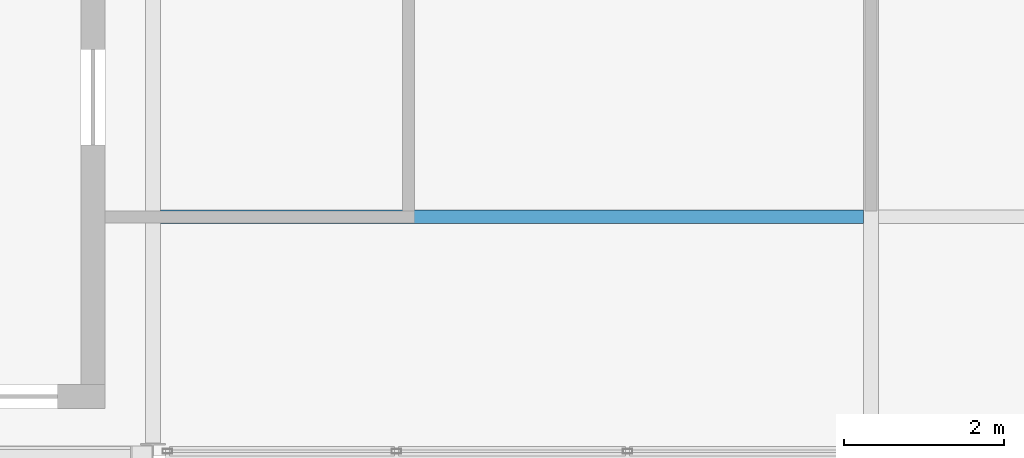
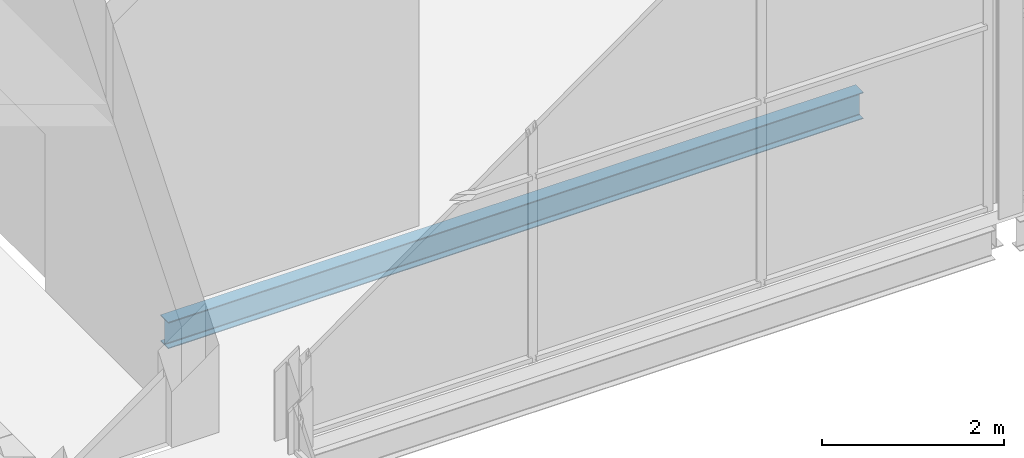
# One storey, part 41 of 111: 1 beam.
"""IFC4 building model written with IfcOpenShell, lengths in metres."""

from ifc_helpers import new_model, si_unit, direction, frame, origin, origin_2d, place, context, subcontext, project, spatial, i_section, extrude, material, material_profile, profile_set, type_object, element, save


model = new_model("IFC4")

# Units and contexts
model_context = context("Model", 3, precision=1e-05, world=origin(), true_north=direction((0.0, 1.0)))
body_context = subcontext(model_context, "Body", "Model", "MODEL_VIEW")
ifc_project = project(units=[si_unit("LENGTHUNIT", "METRE"), si_unit("AREAUNIT", "SQUARE_METRE"), si_unit("VOLUMEUNIT", "CUBIC_METRE"), si_unit("PLANEANGLEUNIT", "RADIAN"), si_unit("MASSUNIT", "GRAM", prefix="KILO")], contexts=[model_context])

# Site, building, storey
site_placement = place(None, origin())
site = spatial("IfcSite", under=ifc_project, at=site_placement, CompositionType="ELEMENT")
building_placement = place(site_placement, origin())
building = spatial("IfcBuilding", under=site, at=building_placement, Name="Shorebreak Coast Museum", CompositionType="ELEMENT")
storey_placement = place(building_placement, frame((0.0, 0.0, 16.0)))
storey = spatial("IfcBuildingStorey", under=building, at=storey_placement, Name="L03", CompositionType="ELEMENT", Elevation=16.0)

# Beam
ifc_material = material(Name="Steel Grade 300", Category="steel")
ifc_material_profile = material_profile(ifc_material, i_section(OverallWidth=0.1708984375, OverallDepth=0.355712890625, WebThickness=0.00732421875, FlangeThickness=0.011474609375, FilletRadius=0.011474609375, at=origin_2d()), Name="360UB50.7")
ifc_profile_set = profile_set([ifc_material_profile], Name="Steel Grade 300")
beam_type = type_object("IfcBeamType", Name="Floor joist 360UB50.7", PredefinedType="JOIST", material=ifc_profile_set)
beam_placement = place(storey_placement, frame((63.094970703125, 84.0, -0.352783203125), z_axis=(1.0, 0.0, 0.0), x_axis=(0.0, 1.0, 0.0)))
element("IfcBeam", 1, at=beam_placement, inside=storey, type_object=beam_type, Name="Floor joist L03 bay 8K at 3000 mm", PredefinedType="JOIST", context=body_context, shape_type="SweptSolid", body=[
    extrude(i_section(OverallWidth=0.1708984375, OverallDepth=0.355712890625, WebThickness=0.00732421875, FlangeThickness=0.011474609375, FilletRadius=0.011474609375, at=origin_2d()), origin(), (0.0, 0.0, 1.0), 8.81005859375),
])

save(model, "model.ifc")
